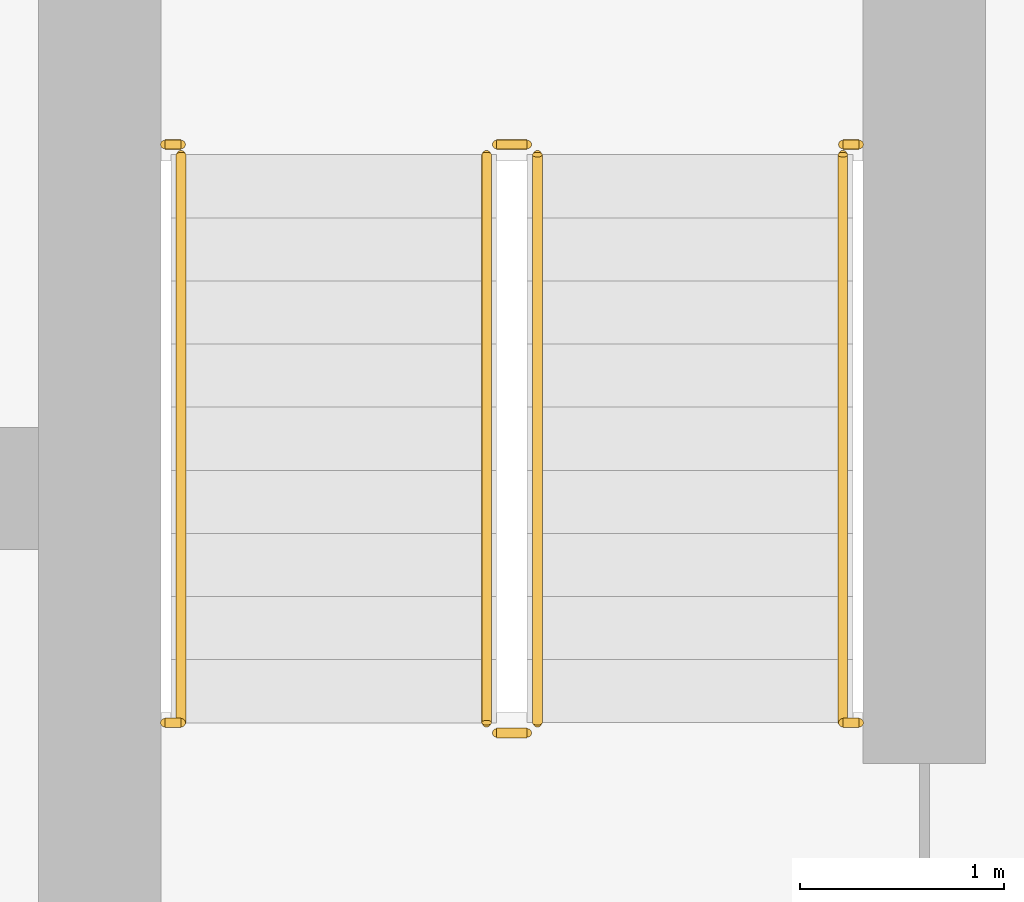
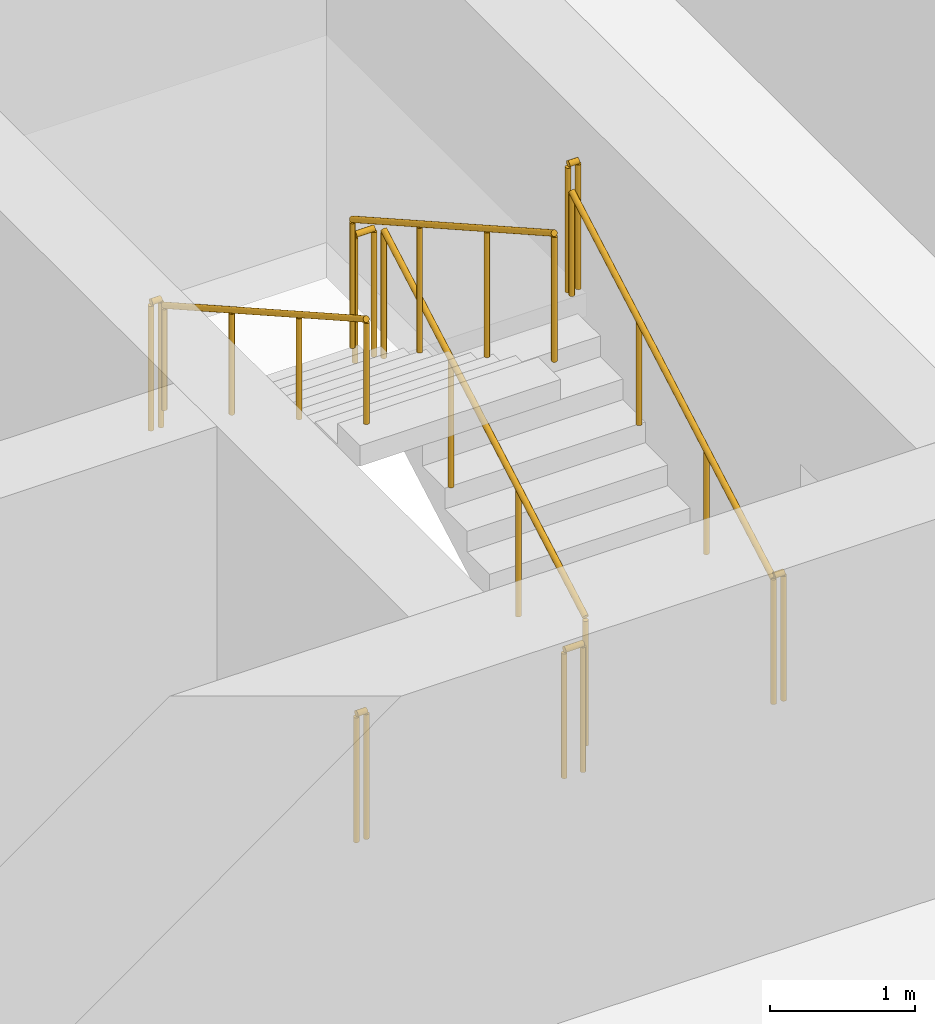
# One storey, part 20 of 22: 10 railings.
"""IFC4 building model written with IfcOpenShell, lengths in metres."""

from ifc_helpers import new_model, si_unit, direction, frame, origin, origin_2d, place, context, subcontext, project, spatial, circle, extrude, material, type_object, element, save


model = new_model("IFC4")

# Units and contexts
model_context = context("Model", 3, precision=1e-05, world=origin(), true_north=direction((0.0, 1.0)))
body_context = subcontext(model_context, "Body", "Model", "MODEL_VIEW")
ifc_project = project(units=[si_unit("LENGTHUNIT", "METRE"), si_unit("AREAUNIT", "SQUARE_METRE"), si_unit("VOLUMEUNIT", "CUBIC_METRE"), si_unit("PLANEANGLEUNIT", "RADIAN"), si_unit("MASSUNIT", "GRAM", prefix="KILO")], contexts=[model_context])

# Site, building, storey
site_placement = place(None, origin())
site = spatial("IfcSite", under=ifc_project, at=site_placement, CompositionType="ELEMENT")
building_placement = place(site_placement, origin())
building = spatial("IfcBuilding", under=site, at=building_placement, Name="Madar Terraces", CompositionType="ELEMENT")
storey_placement = place(building_placement, frame((0.0, 0.0, 152.5)))
storey = spatial("IfcBuildingStorey", under=building, at=storey_placement, Name="L39", CompositionType="ELEMENT", Elevation=152.5)

# Railings
ifc_material_1 = material(Name="Stainless steel railing", Category="steel")
railing_type_1 = type_object("IfcRailingType", Name="Stair guard 1100", PredefinedType="GUARDRAIL", material=ifc_material_1)
railing_1_placement = place(storey_placement, frame((41.449951171875, 17.60009765625, 0.175048828125)))
element("IfcRailing", 1, at=railing_1_placement, inside=storey, type_object=railing_type_1, Name="L39 ST3 stair guard 1", PredefinedType="GUARDRAIL", context=body_context, shape_type="SweptSolid", body=[
    extrude(circle(Radius=0.02392578125, at=origin_2d()), frame((0.0, 0.0, 1.076171875), z_axis=(0.0, 0.870815363784, 0.491610213684), x_axis=(-1.0, 0.0, 0.0)), (0.0, 0.0, 1.0), 3.20361328125),
    extrude(circle(Radius=0.02099609375, at=origin_2d()), origin(), (0.0, 0.0, 1.0), 1.052001953125),
    extrude(circle(Radius=0.02099609375, at=origin_2d()), frame((0.0, 0.929931640625, 0.52490234375)), (0.0, 0.0, 1.0), 1.052001953125),
    extrude(circle(Radius=0.02099609375, at=origin_2d()), frame((0.0, 1.85986328125, 1.050048828125)), (0.0, 0.0, 1.0), 1.052001953125),
    extrude(circle(Radius=0.02099609375, at=origin_2d()), frame((0.0, 2.789794921875, 1.574951171875)), (0.0, 0.0, 1.0), 1.052001953125),
])
railing_2_placement = place(storey_placement, frame((41.39990234375, 20.43994140625, 1.75)))
element("IfcRailing", 2, at=railing_2_placement, inside=storey, type_object=railing_type_1, Name="L39 ST3 stair guard 2", PredefinedType="GUARDRAIL", context=body_context, shape_type="SweptSolid", body=[
    extrude(circle(Radius=0.02392578125, at=origin_2d()), frame((0.0, 0.0, 1.076171875), z_axis=(-1.0, 0.0, 0.0), x_axis=(0.0, -1.0, 0.0)), (0.0, 0.0, 1.0), 0.14990234375),
    extrude(circle(Radius=0.02099609375, at=origin_2d()), origin(), (0.0, 0.0, 1.0), 1.052001953125),
    extrude(circle(Radius=0.02099609375, at=origin_2d()), frame((-0.14990234375, 0.0, 0.0)), (0.0, 0.0, 1.0), 1.052001953125),
])
railing_3_placement = place(storey_placement, frame((41.199951171875, 20.389892578125, 1.925048828125)))
element("IfcRailing", 3, at=railing_3_placement, inside=storey, type_object=railing_type_1, Name="L39 ST3 stair guard 3", PredefinedType="GUARDRAIL", context=body_context, shape_type="SweptSolid", body=[
    extrude(circle(Radius=0.02392578125, at=origin_2d()), frame((0.0, 0.0, 1.076171875), z_axis=(0.0, -0.870815363784, 0.491610213684), x_axis=(1.0, 0.0, 0.0)), (0.0, 0.0, 1.0), 3.20361328125),
    extrude(circle(Radius=0.02099609375, at=origin_2d()), origin(), (0.0, 0.0, 1.0), 1.052001953125),
    extrude(circle(Radius=0.02099609375, at=origin_2d()), frame((0.0, -0.929931640625, 0.52490234375)), (0.0, 0.0, 1.0), 1.052001953125),
    extrude(circle(Radius=0.02099609375, at=origin_2d()), frame((0.0, -1.85986328125, 1.050048828125)), (0.0, 0.0, 1.0), 1.052001953125),
    extrude(circle(Radius=0.02099609375, at=origin_2d()), frame((0.0, -2.789794921875, 1.574951171875)), (0.0, 0.0, 1.0), 1.052001953125),
])
railing_4_placement = place(storey_placement, frame((41.39990234375, 17.550048828125, 0.0)))
element("IfcRailing", 4, at=railing_4_placement, inside=storey, type_object=railing_type_1, Name="L39 ST3 stair guard 4", PredefinedType="GUARDRAIL", context=body_context, shape_type="SweptSolid", body=[
    extrude(circle(Radius=0.02392578125, at=origin_2d()), frame((0.0, 0.0, 1.076171875), z_axis=(-1.0, 0.0, 0.0), x_axis=(0.0, -1.0, 0.0)), (0.0, 0.0, 1.0), 0.14990234375),
    extrude(circle(Radius=0.02099609375, at=origin_2d()), origin(), (0.0, 0.0, 1.0), 1.052001953125),
    extrude(circle(Radius=0.02099609375, at=origin_2d()), frame((-0.14990234375, 0.0, 0.0)), (0.0, 0.0, 1.0), 1.052001953125),
])
railing_5_placement = place(storey_placement, frame((39.6201171875, 20.43994140625, 1.75)))
element("IfcRailing", 5, at=railing_5_placement, inside=storey, type_object=railing_type_1, Name="L39 stair guard seat 1", PredefinedType="GUARDRAIL", context=body_context, shape_type="SweptSolid", body=[
    extrude(circle(Radius=0.02392578125, at=origin_2d()), frame((0.0, 0.0, 1.076171875), z_axis=(1.0, 0.0, 0.0), x_axis=(0.0, 1.0, 0.0)), (0.0, 0.0, 1.0), 0.079833984375),
    extrude(circle(Radius=0.02099609375, at=origin_2d()), origin(), (0.0, 0.0, 1.0), 1.052001953125),
    extrude(circle(Radius=0.02099609375, at=origin_2d()), frame((0.079833984375, 0.0, 0.0)), (0.0, 0.0, 1.0), 1.052001953125),
])
railing_6_placement = place(storey_placement, frame((42.949951171875, 20.43994140625, 1.75)))
element("IfcRailing", 6, at=railing_6_placement, inside=storey, type_object=railing_type_1, Name="L39 stair guard seat 2", PredefinedType="GUARDRAIL", context=body_context, shape_type="SweptSolid", body=[
    extrude(circle(Radius=0.02392578125, at=origin_2d()), frame((0.0, 0.0, 1.076171875), z_axis=(1.0, 0.0, 0.0), x_axis=(0.0, 1.0, 0.0)), (0.0, 0.0, 1.0), 0.080078125),
    extrude(circle(Radius=0.02099609375, at=origin_2d()), origin(), (0.0, 0.0, 1.0), 1.052001953125),
    extrude(circle(Radius=0.02099609375, at=origin_2d()), frame((0.080078125, 0.0, 0.0)), (0.0, 0.0, 1.0), 1.052001953125),
])
railing_7_placement = place(storey_placement, frame((39.6201171875, 17.60009765625, 0.0)))
element("IfcRailing", 7, at=railing_7_placement, inside=storey, type_object=railing_type_1, Name="L39 stair guard floor 1", PredefinedType="GUARDRAIL", context=body_context, shape_type="SweptSolid", body=[
    extrude(circle(Radius=0.02392578125, at=origin_2d()), frame((0.0, 0.0, 1.076171875), z_axis=(1.0, 0.0, 0.0), x_axis=(0.0, 1.0, 0.0)), (0.0, 0.0, 1.0), 0.079833984375),
    extrude(circle(Radius=0.02099609375, at=origin_2d()), origin(), (0.0, 0.0, 1.0), 1.052001953125),
    extrude(circle(Radius=0.02099609375, at=origin_2d()), frame((0.079833984375, 0.0, 0.0)), (0.0, 0.0, 1.0), 1.052001953125),
])
railing_8_placement = place(storey_placement, frame((42.949951171875, 17.60009765625, 0.0)))
element("IfcRailing", 8, at=railing_8_placement, inside=storey, type_object=railing_type_1, Name="L39 stair guard floor 2", PredefinedType="GUARDRAIL", context=body_context, shape_type="SweptSolid", body=[
    extrude(circle(Radius=0.02392578125, at=origin_2d()), frame((0.0, 0.0, 1.076171875), z_axis=(1.0, 0.0, 0.0), x_axis=(0.0, 1.0, 0.0)), (0.0, 0.0, 1.0), 0.080078125),
    extrude(circle(Radius=0.02099609375, at=origin_2d()), origin(), (0.0, 0.0, 1.0), 1.052001953125),
    extrude(circle(Radius=0.02099609375, at=origin_2d()), frame((0.080078125, 0.0, 0.0)), (0.0, 0.0, 1.0), 1.052001953125),
])
ifc_material_2 = material(Name="Stainless steel railing", Category="steel")
railing_type_2 = type_object("IfcRailingType", Name="Stair handrail 900", PredefinedType="HANDRAIL", material=ifc_material_2)
railing_9_placement = place(storey_placement, frame((42.949951171875, 17.60009765625, 0.175048828125)))
element("IfcRailing", 9, at=railing_9_placement, inside=storey, type_object=railing_type_2, Name="L39 ST3 stair handrail 1", PredefinedType="HANDRAIL", context=body_context, shape_type="SweptSolid", body=[
    extrude(circle(Radius=0.02392578125, at=origin_2d()), frame((0.0, 0.0, 0.8759765625), z_axis=(0.0, 0.870815363784, 0.491610213684), x_axis=(-1.0, 0.0, 0.0)), (0.0, 0.0, 1.0), 3.20361328125),
    extrude(circle(Radius=0.02099609375, at=origin_2d()), origin(), (0.0, 0.0, 1.0), 0.851806640625),
    extrude(circle(Radius=0.02099609375, at=origin_2d()), frame((0.0, 0.929931640625, 0.52490234375)), (0.0, 0.0, 1.0), 0.851806640625),
    extrude(circle(Radius=0.02099609375, at=origin_2d()), frame((0.0, 1.85986328125, 1.050048828125)), (0.0, 0.0, 1.0), 0.851806640625),
    extrude(circle(Radius=0.02099609375, at=origin_2d()), frame((0.0, 2.789794921875, 1.574951171875)), (0.0, 0.0, 1.0), 0.851806640625),
])
railing_10_placement = place(storey_placement, frame((39.699951171875, 20.389892578125, 1.925048828125)))
element("IfcRailing", 10, at=railing_10_placement, inside=storey, type_object=railing_type_2, Name="L39 ST3 stair handrail 2", PredefinedType="HANDRAIL", context=body_context, shape_type="SweptSolid", body=[
    extrude(circle(Radius=0.02392578125, at=origin_2d()), frame((0.0, 0.0, 0.8759765625), z_axis=(0.0, -0.870815363784, 0.491610213684), x_axis=(1.0, 0.0, 0.0)), (0.0, 0.0, 1.0), 3.20361328125),
    extrude(circle(Radius=0.02099609375, at=origin_2d()), origin(), (0.0, 0.0, 1.0), 0.851806640625),
    extrude(circle(Radius=0.02099609375, at=origin_2d()), frame((0.0, -0.929931640625, 0.52490234375)), (0.0, 0.0, 1.0), 0.851806640625),
    extrude(circle(Radius=0.02099609375, at=origin_2d()), frame((0.0, -1.85986328125, 1.050048828125)), (0.0, 0.0, 1.0), 0.851806640625),
    extrude(circle(Radius=0.02099609375, at=origin_2d()), frame((0.0, -2.789794921875, 1.574951171875)), (0.0, 0.0, 1.0), 0.851806640625),
])

save(model, "model.ifc")
